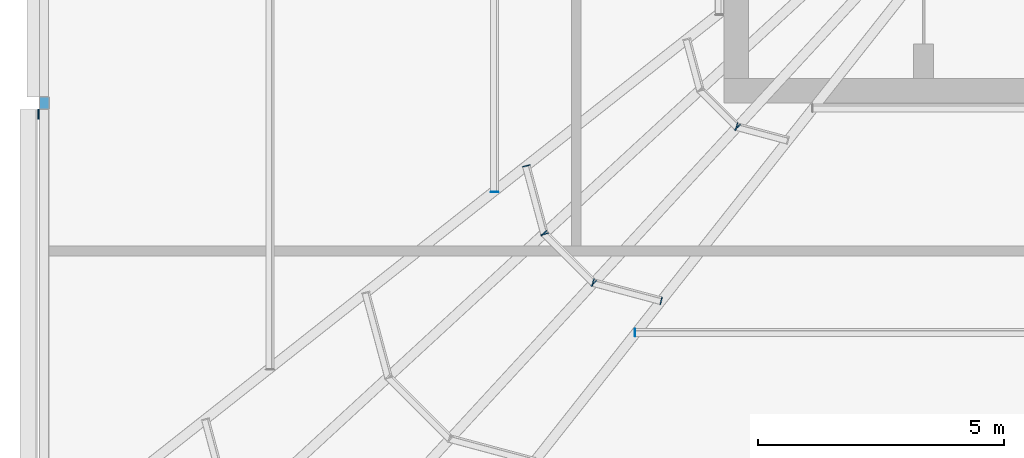
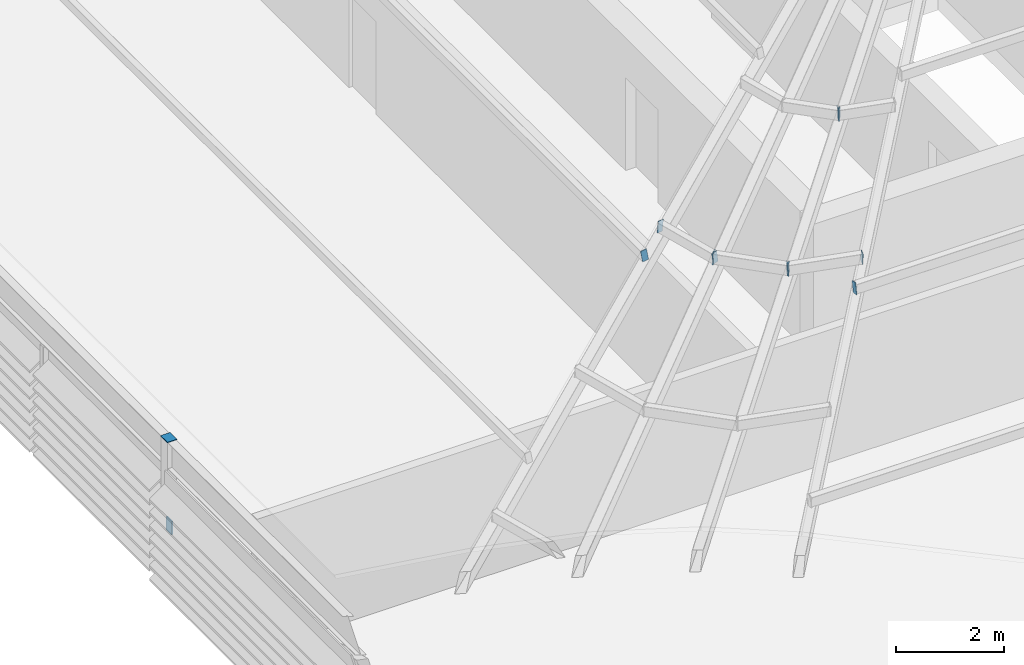
# One storey, part 25 of 46: 12 discrete accessories.
"""IFC4 building model written with IfcOpenShell, lengths in metres."""

from ifc_helpers import new_model, si_unit, direction, frame, origin, origin_2d, place, context, subcontext, project, spatial, rectangle, extrude, material, type_object, element, save


model = new_model("IFC4")

# Units and contexts
model_context = context("Model", 3, precision=1e-05, world=origin(), true_north=direction((0.0, 1.0)))
body_context = subcontext(model_context, "Body", "Model", "MODEL_VIEW")
ifc_project = project(units=[si_unit("LENGTHUNIT", "METRE"), si_unit("AREAUNIT", "SQUARE_METRE"), si_unit("VOLUMEUNIT", "CUBIC_METRE"), si_unit("PLANEANGLEUNIT", "RADIAN"), si_unit("MASSUNIT", "GRAM", prefix="KILO")], contexts=[model_context])

# Site, building, storey
site_placement = place(None, origin())
site = spatial("IfcSite", under=ifc_project, at=site_placement, CompositionType="ELEMENT")
building_placement = place(site_placement, origin())
building = spatial("IfcBuilding", under=site, at=building_placement, Name="Madar Terraces", CompositionType="ELEMENT")
storey_placement = place(building_placement, frame((0.0, 0.0, 317.300048828125)))
storey = spatial("IfcBuildingStorey", under=building, at=storey_placement, Name="L82", CompositionType="ELEMENT", Elevation=317.300048828125)

# Discrete accessories
ifc_material_1 = material(Name="Steel plate ASTM A36, galvanised", Category="steel")
discrete_accessory_type_1 = type_object("IfcDiscreteAccessoryType", Name="Hollow section end plate", PredefinedType="BRACKET", material=ifc_material_1)
for number, where, z_axis, x_axis, name in (
    (1, (13.199951171875, 10.342041015625, 5.029052734375), (-1.0, 0.0, 0.0), (0.0, -0.984957023705, 0.172799483372), "Hollow section end plate"),
    (2, (10.342041015625, 13.199951171875, 5.029052734375), (0.0, -1.0, 0.0), (0.984957023705, 0.0, 0.172799483372), "Hollow section end plate"),
    (3, (10.98779296875, 13.71875, 5.142578125), (-0.247383245266, 0.968917710624, 0.0), (-0.960168060506, -0.245149292044, 0.13408624163), "Hollow section end plate"),
    (4, (11.35546875, 12.34716796875, 5.142578125), (0.247383245266, -0.968917710624, 0.0), (0.960168060506, 0.245149292044, 0.13408624163), "Hollow section end plate"),
    (5, (11.350830078125, 12.354736328125, 5.142578125), (-0.707106781187, 0.707106781187, 0.0), (-0.700941463334, -0.700941463334, 0.131765435371), "Hollow section end plate"),
    (6, (12.354736328125, 11.350830078125, 5.142578125), (0.707106781187, -0.707106781187, 0.0), (0.700941463334, 0.700941463334, 0.131765435371), "Hollow section end plate"),
    (7, (15.26904296875, 14.51611328125, 5.7138671875), (0.696785684263, -0.717279380859, 0.0), (0.711025367336, 0.69071035684, 0.131765435371), "Hollow section end plate"),
    (8, (12.34716796875, 11.35546875, 5.142578125), (-0.968917710624, 0.247383245266, 0.0), (-0.245149292044, -0.960168060506, 0.13408624163), "Hollow section end plate"),
    (9, (13.71875, 10.98779296875, 5.142578125), (0.968917710624, -0.247383245266, 0.0), (0.245149292044, 0.960168060506, 0.13408624163), "Hollow section end plate"),
    (10, (15.261474609375, 14.5205078125, 5.714111328125), (-0.963811120254, 0.266586054538, 0.0), (-0.264178693544, -0.95510758435, 0.13408624163), "Hollow section end plate"),
):
    element("IfcDiscreteAccessory", number, at=place(storey_placement, frame(where, z_axis=z_axis, x_axis=x_axis)), inside=storey, type_object=discrete_accessory_type_1, Name=name, PredefinedType="BRACKET", context=body_context, shape_type="SweptSolid", body=[
        extrude(rectangle(XDim=0.126953125, YDim=0.25390625, at=origin_2d()), origin(), (0.0, 0.0, 1.0), 0.011962890625),
    ])
discrete_accessory_1_placement = place(storey_placement, frame((1.199951171875, 15.0, 3.0), z_axis=(0.0, 0.0, 1.0), x_axis=(1.0, 0.0, 0.0)))
element("IfcDiscreteAccessory", 11, at=discrete_accessory_1_placement, inside=storey, type_object=discrete_accessory_type_1, Name="Hollow section end plate", PredefinedType="BRACKET", context=body_context, shape_type="SweptSolid", body=[
    extrude(rectangle(XDim=0.203125, YDim=0.25390625, at=origin_2d()), origin(), (0.0, 0.0, 1.0), 0.011962890625),
])
ifc_material_2 = material(Name="Steel, galvanised", Category="steel")
discrete_accessory_type_2 = type_object("IfcDiscreteAccessoryType", Name="Louvre bank bracket", PredefinedType="BRACKET", material=ifc_material_2)
discrete_accessory_2_placement = place(storey_placement, frame((1.08349609375, 14.77294921875, 1.048828125), z_axis=(0.0, 0.0, 1.0), x_axis=(0.0, -1.0, 0.0)))
element("IfcDiscreteAccessory", 12, at=discrete_accessory_2_placement, inside=storey, type_object=discrete_accessory_type_2, Name="Louvre bank bracket", PredefinedType="BRACKET", context=body_context, shape_type="SweptSolid", body=[
    extrude(rectangle(XDim=0.199951171875, YDim=0.030029296875, at=origin_2d()), origin(), (0.0, 0.0, 1.0), 0.300048828125),
])

save(model, "model.ifc")
